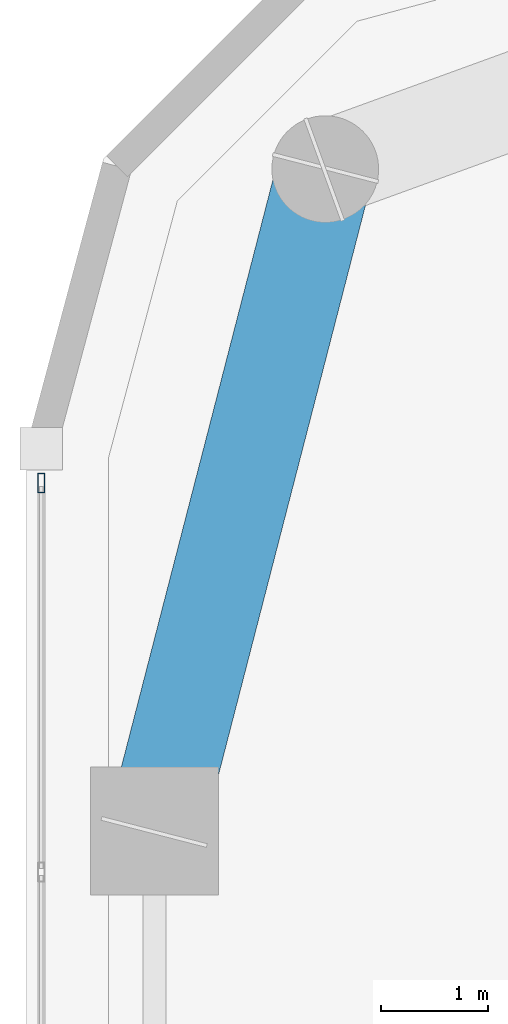
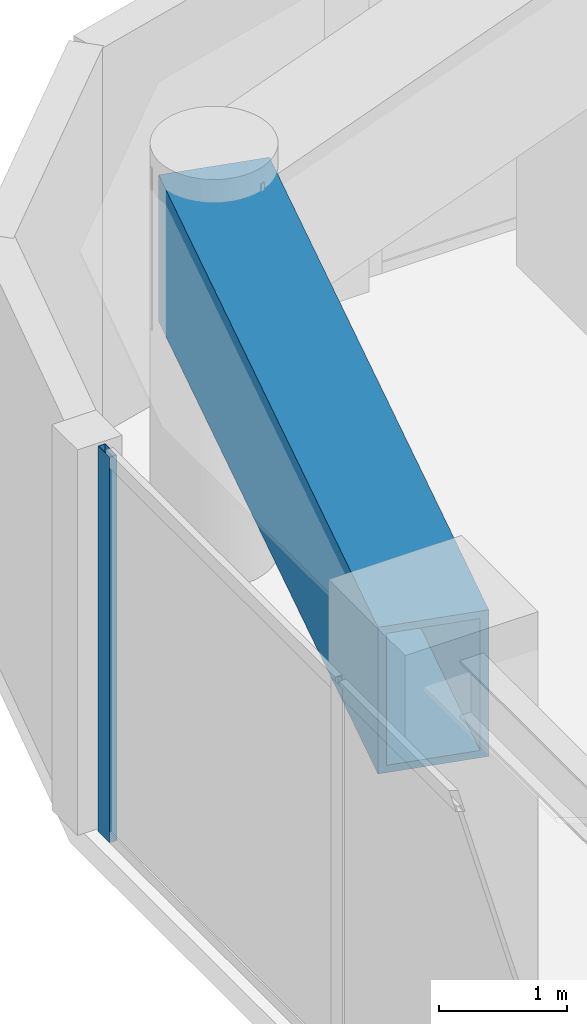
# One storey, part 15 of 30: 1 beam, 1 member, 1 element without a shape of its own.
"""IFC4 building model written with IfcOpenShell, lengths in metres."""

import ifcopenshell
import ifcopenshell.guid

model = None  # the IFC model being written
_history = None  # IfcOwnerHistory: only IFC2X3 demands one
_inside = {}  # id of a spatial element -> (the spatial element, [elements in it])
_under = {}  # id of a project, library or spatial element -> (it, [spatial elements below it])
_declared = {}  # id of a project -> (the project, [libraries it declares])
_typed = {}  # id of a type object -> (the type object, [elements of that type])
_made_of = {}  # id of a material, layer set ... -> (it, [elements and type objects made of it])


def new_model(schema):
    """Start an empty IFC model of exactly this schema.

    Asked for "IFC4X3", IfcOpenShell would pick the latest addendum, in which some entities
    have other attributes; the version numbers below select the first issue.
    IFC2X3 requires an IfcOwnerHistory on every rooted entity: one is made here for all.
    """
    global model, _history
    if schema == "IFC4X3":
        model = ifcopenshell.file(schema_version=(4, 3, 0, 0))
    else:
        model = ifcopenshell.file(schema=schema)
    _inside.clear()
    _under.clear()
    _declared.clear()
    _typed.clear()
    _made_of.clear()
    _history = None
    if model.schema == "IFC2X3":
        org = make("IfcOrganization", Name="unknown")
        user = make(
            "IfcPersonAndOrganization",
            ThePerson=make("IfcPerson", FamilyName="unknown"),
            TheOrganization=org,
        )
        app = make(
            "IfcApplication",
            ApplicationDeveloper=org,
            Version="unknown",
            ApplicationFullName="unknown",
            ApplicationIdentifier="unknown",
        )
        _history = make(
            "IfcOwnerHistory",
            OwningUser=user,
            OwningApplication=app,
            ChangeAction="ADDED",
            CreationDate=0,
        )
    return model


def make(cls, **values):
    """One entity of the class cls with the attributes given. An attribute that is None is left unset."""
    return model.create_entity(
        cls, **{name: value for name, value in values.items() if value is not None}
    )


def rooted(cls, **values):
    """An entity with a GlobalId (a new one), such as an element, a storey or a relation."""
    return make(cls, GlobalId=ifcopenshell.guid.new(), OwnerHistory=_history, **values)


def si_unit(unit_type, name, prefix=None):
    """IfcSIUnit, for example si_unit("LENGTHUNIT", "METRE", prefix="MILLI")."""
    return make("IfcSIUnit", UnitType=unit_type, Prefix=prefix, Name=name)


def assignment(units):
    """IfcUnitAssignment: the units of a project."""
    return None if units is None else make("IfcUnitAssignment", Units=units)


def point(xyz):
    """IfcCartesianPoint."""
    return None if xyz is None else make("IfcCartesianPoint", Coordinates=xyz)


def direction(xyz):
    """IfcDirection."""
    return None if xyz is None else make("IfcDirection", DirectionRatios=xyz)


def frame(location, z_axis=None, x_axis=None):
    """IfcAxis2Placement3D, a coordinate frame: its origin and axes. An axis left out is left unset."""
    return make(
        "IfcAxis2Placement3D",
        Location=point(location),
        Axis=direction(z_axis),
        RefDirection=direction(x_axis),
    )


def frame_2d(location, x_axis=None):
    """IfcAxis2Placement2D, a coordinate frame in the plane: its origin and x axis."""
    return make(
        "IfcAxis2Placement2D", Location=point(location), RefDirection=direction(x_axis)
    )


def origin():
    """The frame at (0, 0, 0) with its axes left unset."""
    return frame((0.0, 0.0, 0.0))


def origin_2d():
    """The frame at (0, 0) in the plane with its x axis left unset."""
    return frame_2d((0.0, 0.0))


def place(relative_to, where):
    """IfcLocalPlacement: puts the frame where relative to a parent placement (None: the world)."""
    return make(
        "IfcLocalPlacement", PlacementRelTo=relative_to, RelativePlacement=where
    )


def context(
    kind, dimensions, precision=None, world=None, true_north=None, identifier=None
):
    """IfcGeometricRepresentationContext, for example the 3D "Model" context."""
    return make(
        "IfcGeometricRepresentationContext",
        ContextIdentifier=identifier,
        ContextType=kind,
        CoordinateSpaceDimension=dimensions,
        Precision=precision,
        WorldCoordinateSystem=world,
        TrueNorth=true_north,
    )


def subcontext(parent, identifier, kind, view, scale=None):
    """IfcGeometricRepresentationSubContext, for example "Body" below "Model"."""
    return make(
        "IfcGeometricRepresentationSubContext",
        ContextIdentifier=identifier,
        ContextType=kind,
        ParentContext=parent,
        TargetScale=scale,
        TargetView=view,
    )


def project(units=None, contexts=None):
    """IfcProject with its units and contexts."""
    return rooted(
        "IfcProject",
        Name="project",
        RepresentationContexts=contexts,
        UnitsInContext=assignment(units),
    )


def spatial(cls, under=None, at=None, **own):
    """A site, building, storey or space (cls), placed at a placement, below another one or the project."""
    s = rooted(cls, ObjectPlacement=at, **own)
    if under is not None:
        _under.setdefault(under.id(), (under, []))[1].append(s)
    return s


def profile(cls, at=None, kind="AREA", **sizes):
    """A parametric profile (cls). Its sizes go by their IFC names, for example OverallWidth=200.0."""
    return make(cls, ProfileType=kind, Position=at, **sizes)


def hollow_rectangle(**sizes):
    """IfcRectangleHollowProfileDef."""
    return profile("IfcRectangleHollowProfileDef", **sizes)


def extrude(swept, where, along, depth):
    """IfcExtrudedAreaSolid: the profile swept, set in the frame where, extruded along a direction by depth."""
    return make(
        "IfcExtrudedAreaSolid",
        SweptArea=swept,
        Position=where,
        ExtrudedDirection=direction(along),
        Depth=depth,
    )


def shape(context_of_items, identifier, shape_type, items):
    """IfcShapeRepresentation: the items that make up one representation, for example the "Body"."""
    return make(
        "IfcShapeRepresentation",
        ContextOfItems=context_of_items,
        RepresentationIdentifier=identifier,
        RepresentationType=shape_type,
        Items=items,
    )


def material(Name=None, Category=None):
    """IfcMaterial."""
    return make("IfcMaterial", Name=Name, Category=Category)


def layer(
    of_material, thickness, ventilated=None, Name=None, Category=None, Priority=None
):
    """IfcMaterialLayer: one layer of a wall or slab, of a material (None: an air gap)."""
    return make(
        "IfcMaterialLayer",
        Material=of_material,
        LayerThickness=thickness,
        IsVentilated=ventilated,
        Name=Name,
        Category=Category,
        Priority=Priority,
    )


def layer_set(layers, Name=None):
    """IfcMaterialLayerSet."""
    return make("IfcMaterialLayerSet", MaterialLayers=layers, LayerSetName=Name)


def material_profile(
    of_material, cross_section, Name=None, Category=None, Priority=None
):
    """IfcMaterialProfile: a cross section and its material."""
    return make(
        "IfcMaterialProfile",
        Name=Name,
        Material=of_material,
        Profile=cross_section,
        Priority=Priority,
        Category=Category,
    )


def profile_set(profiles, Name=None, composite=None):
    """IfcMaterialProfileSet."""
    return make(
        "IfcMaterialProfileSet",
        Name=Name,
        MaterialProfiles=profiles,
        CompositeProfile=composite,
    )


def made_of(thing, what):
    """Note that an element or type object is made of a material, layer set ...; save() writes the relation."""
    if what is not None:
        _made_of.setdefault(what.id(), (what, []))[1].append(thing)
    return thing


def type_object(cls, material=None, **own):
    """A type object (cls), such as IfcWallType, which elements share."""
    return made_of(rooted(cls, **own), material)


def element(
    cls,
    number,
    at=None,
    inside=None,
    cuts=None,
    type_object=None,
    material=None,
    context=None,
    identifier="Body",
    shape_type=None,
    held_by="IfcProductDefinitionShape",
    body=None,
    shapes=None,
    **own,
):
    """One element of the class cls, such as IfcWall. Its Tag is "e" and its number.

    at: its placement. inside: the storey or other place that contains it. cuts: it is an
    opening in that element (IfcRelVoidsElement). A single representation is given by context,
    identifier, shape_type and body (its items); several are given by shapes. held_by: the class
    of the entity that holds the representations. save() writes the other relations.
    """
    e = rooted(cls, Tag="e%d" % number, ObjectPlacement=at, **own)
    if body is not None:
        shapes = [shape(context, identifier, shape_type, body)]
    if shapes is not None:
        e.Representation = make(held_by, Representations=shapes)
    if inside is not None:
        _inside.setdefault(inside.id(), (inside, []))[1].append(e)
    if cuts is not None:
        rooted(
            "IfcRelVoidsElement", RelatingBuildingElement=cuts, RelatedOpeningElement=e
        )
    if type_object is not None:
        _typed.setdefault(type_object.id(), (type_object, []))[1].append(e)
    return made_of(e, material)


def aggregate(whole, parts):
    """IfcRelAggregates: a whole, such as a stair, and the parts it consists of."""
    return rooted("IfcRelAggregates", RelatingObject=whole, RelatedObjects=parts)


def save(model, path):
    """Write the relations noted so far, then the file.

    IfcRelAggregates (storeys below a building ...), IfcRelContainedInSpatialStructure (elements
    in a storey), IfcRelDefinesByType, IfcRelAssociatesMaterial and IfcRelDeclares: one each for
    every whole, place, type object, material and project.
    """
    for whole, parts in _under.values():
        aggregate(whole, parts)
    for where, things in _inside.values():
        rooted(
            "IfcRelContainedInSpatialStructure",
            RelatedElements=things,
            RelatingStructure=where,
        )
    for kind, things in _typed.values():
        rooted("IfcRelDefinesByType", RelatedObjects=things, RelatingType=kind)
    for what, things in _made_of.values():
        rooted("IfcRelAssociatesMaterial", RelatedObjects=things, RelatingMaterial=what)
    for by, libraries in _declared.values():
        rooted("IfcRelDeclares", RelatingContext=by, RelatedDefinitions=libraries)
    model.write(path)


model = new_model("IFC4")

# Units and contexts
model_context = context("Model", 3, precision=1e-05, world=origin(), true_north=direction((0.0, 1.0)))
body_context = subcontext(model_context, "Body", "Model", "MODEL_VIEW")
ifc_project = project(units=[si_unit("LENGTHUNIT", "METRE"), si_unit("AREAUNIT", "SQUARE_METRE"), si_unit("VOLUMEUNIT", "CUBIC_METRE"), si_unit("PLANEANGLEUNIT", "RADIAN"), si_unit("MASSUNIT", "GRAM", prefix="KILO")], contexts=[model_context])

# Site, building, storey
site_placement = place(None, origin())
site = spatial("IfcSite", under=ifc_project, at=site_placement, CompositionType="ELEMENT")
building_placement = place(site_placement, origin())
building = spatial("IfcBuilding", under=site, at=building_placement, Name="Kiyonajd Concourse Tower", CompositionType="ELEMENT")
storey_placement = place(building_placement, frame((0.0, 0.0, 162.300048828125)))
storey = spatial("IfcBuildingStorey", under=building, at=storey_placement, Name="L41", CompositionType="ELEMENT", Elevation=162.300048828125)

# Beam
ifc_material_1 = material(Name="Steel ASTM A572 Grade 50", Category="steel")
ifc_material_profile_1 = material_profile(ifc_material_1, hollow_rectangle(XDim=0.89990234375, YDim=1.39990234375, WallThickness=0.070068359375, at=origin_2d()), Name="BOX-1400x900x70")
ifc_profile_set_1 = profile_set([ifc_material_profile_1], Name="Steel ASTM A572 Grade 50")
beam_type = type_object("IfcBeamType", Name="BM-XFER-1400", PredefinedType="BEAM", material=ifc_profile_set_1)
beam_placement = place(storey_placement, frame((20.800048828125, 59.60009765625, 2.97998046875), z_axis=(-0.249884937687, -0.968275538221, 0.0), x_axis=(0.968275538221, -0.249884937687, 0.0)))
element("IfcBeam", 1, at=beam_placement, inside=storey, type_object=beam_type, Name="L41 Perimeter Bundled Tube Spandrel", PredefinedType="BEAM", context=body_context, shape_type="SweptSolid", body=[
    extrude(hollow_rectangle(XDim=0.89990234375, YDim=1.39990234375, WallThickness=0.070068359375, at=origin_2d()), origin(), (0.0, 0.0, 1.0), 6.4033203125),
])

# Curtain wall, member
ifc_material_2 = material(Name="Thermally Broken Anodised Aluminium", Category="aluminium")
ifc_layer = layer(ifc_material_2, 0.179931640625)
ifc_layer_set = layer_set([ifc_layer], Name="Thermally Broken Anodised Aluminium")
curtain_wall_type = type_object("IfcCurtainWallType", Name="CW-SYS-03", PredefinedType="NOTDEFINED", material=ifc_layer_set)
curtain_wall_placement = place(storey_placement, origin())
curtain_wall = element("IfcCurtainWall", 2, at=curtain_wall_placement, inside=storey, type_object=curtain_wall_type, Name="L41 Unitised Curtain Wall CW3", PredefinedType="NOTDEFINED")
ifc_material_profile_2 = material_profile(ifc_material_2, hollow_rectangle(XDim=0.06494140625, YDim=0.179931640625, WallThickness=0.00390625, at=origin_2d()), Name="MULL-65x180")
ifc_profile_set_2 = profile_set([ifc_material_profile_2], Name="Thermally Broken Anodised Aluminium")
member_type = type_object("IfcMemberType", Name="MB-CW-MULL1", PredefinedType="MULLION", material=ifc_profile_set_2)
member_placement = place(storey_placement, frame((18.139892578125, 56.6591796875, 0.0), z_axis=(0.0, 0.0, 1.0), x_axis=(-1.0, 0.0, 0.0)))
member = element("IfcMember", 3, at=member_placement, type_object=member_type, Name="CW3 mullion 7", PredefinedType="MULLION", context=body_context, shape_type="SweptSolid", body=[
    extrude(hollow_rectangle(XDim=0.06494140625, YDim=0.179931640625, WallThickness=0.00390625, at=origin_2d()), origin(), (0.0, 0.0, 1.0), 3.679931640625),
])
aggregate(curtain_wall, [member])

save(model, "model.ifc")
